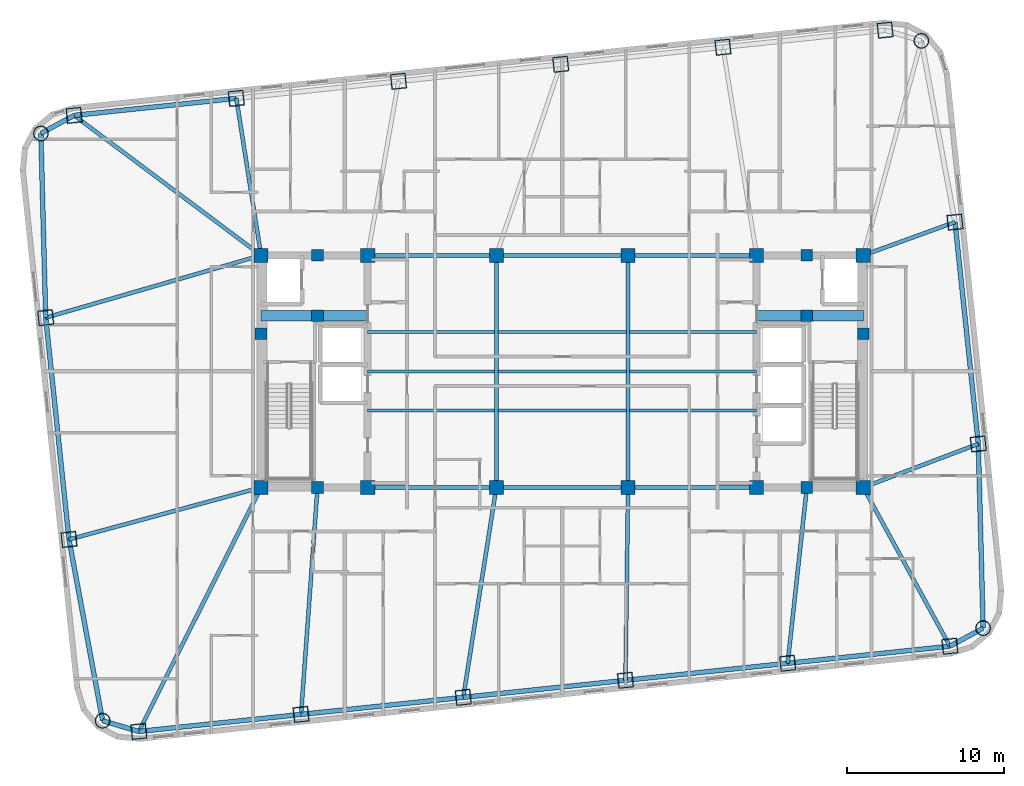
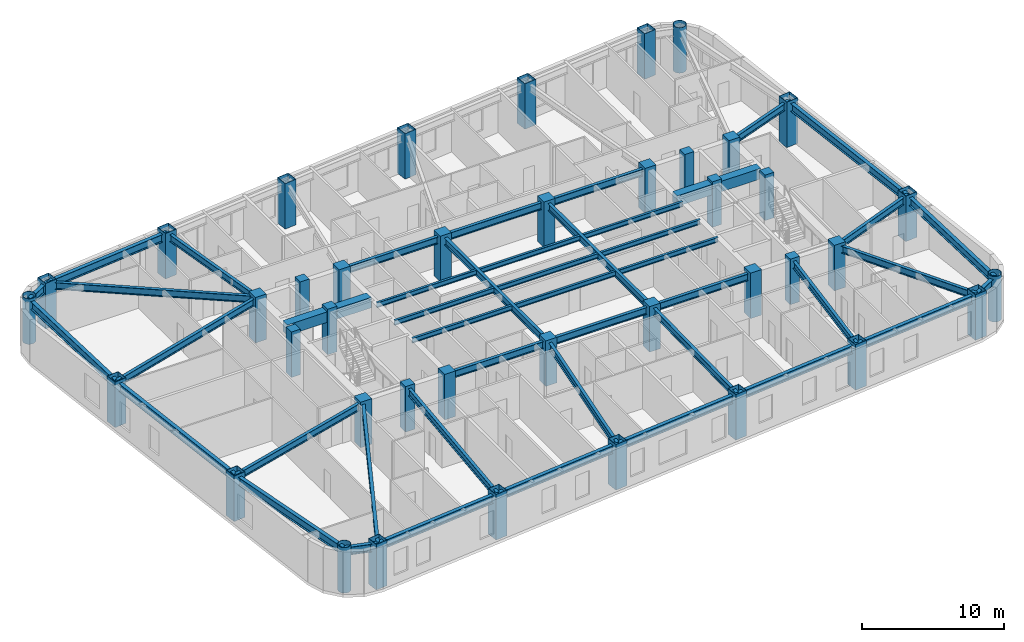
# One storey, part 1 of 12: 45 beams, 40 columns.
"""IFC4 building model written with IfcOpenShell, lengths in metres."""

from ifc_helpers import new_model, si_unit, direction, frame, origin, origin_2d, place, context, subcontext, project, spatial, rectangle, hollow_rectangle, hollow_circle, i_section, extrude, material, material_profile, profile_set, type_object, element, save


model = new_model("IFC4")

# Units and contexts
model_context = context("Model", 3, precision=1e-05, world=origin(), true_north=direction((0.0, 1.0)))
body_context = subcontext(model_context, "Body", "Model", "MODEL_VIEW")
ifc_project = project(units=[si_unit("LENGTHUNIT", "METRE"), si_unit("AREAUNIT", "SQUARE_METRE"), si_unit("VOLUMEUNIT", "CUBIC_METRE"), si_unit("PLANEANGLEUNIT", "RADIAN"), si_unit("MASSUNIT", "GRAM", prefix="KILO")], contexts=[model_context])

# Site, building, storey
site_placement = place(None, origin())
site = spatial("IfcSite", under=ifc_project, at=site_placement, CompositionType="ELEMENT")
building_placement = place(site_placement, origin())
building = spatial("IfcBuilding", under=site, at=building_placement, Name="Voryun Gate Residences", CompositionType="ELEMENT")
storey_placement = place(building_placement, frame((0.0, 0.0, 187.199951171875)))
storey = spatial("IfcBuildingStorey", under=building, at=storey_placement, Name="L46", CompositionType="ELEMENT", Elevation=187.199951171875)

# Columns
ifc_material_1 = material(Name="Concrete C50/60", Category="concrete")
ifc_material_profile_1 = material_profile(ifc_material_1, rectangle(XDim=0.75, YDim=0.75, at=origin_2d()), Name="RC-750x750")
ifc_profile_set_1 = profile_set([ifc_material_profile_1], Name="Concrete C50/60")
column_type_1 = type_object("IfcColumnType", Name="COL_CORE_750", PredefinedType="COLUMN", material=ifc_profile_set_1)
for number, where, z_axis, x_axis, name in (
    (1, (-19.199951171875, 2.39990234375, 0.0), (0.0, 0.0, 1.0), (1.0, 0.0, 0.0), "L46 Core boundary column WC-MW"),
    (2, (-15.60009765625, -7.39990234375, 0.0), (0.0, 0.0, 1.0), (1.0, 0.0, 0.0), "L46 Core boundary column WC-SM"),
    (3, (-15.60009765625, 7.39990234375, 0.0), (0.0, 0.0, 1.0), (1.0, 0.0, 0.0), "L46 Core boundary column WC-NM"),
    (4, (-15.60009765625, 3.550048828125, 0.0), (0.0, 0.0, 1.0), (1.0, 0.0, 0.0), "L46 Core boundary column WC-MM"),
    (5, (15.60009765625, 3.550048828125, 0.0), (0.0, 0.0, 1.0), (1.0, 0.0, 0.0), "L46 Core boundary column EC-MM"),
    (6, (15.60009765625, -7.39990234375, 0.0), (0.0, 0.0, 1.0), (1.0, 0.0, 0.0), "L46 Core boundary column EC-SM"),
    (7, (15.60009765625, 7.39990234375, 0.0), (0.0, 0.0, 1.0), (1.0, 0.0, 0.0), "L46 Core boundary column EC-NM"),
    (8, (19.199951171875, 2.39990234375, 0.0), (0.0, 0.0, 1.0), (1.0, 0.0, 0.0), "L46 Core boundary column EC-ME"),
):
    element("IfcColumn", number, at=place(storey_placement, frame(where, z_axis=z_axis, x_axis=x_axis)), inside=storey, type_object=column_type_1, Name=name, PredefinedType="COLUMN", context=body_context, shape_type="SweptSolid", body=[
        extrude(rectangle(XDim=0.75, YDim=0.75, at=origin_2d()), origin(), (0.0, 0.0, 1.0), 3.900146484375),
    ])
ifc_material_2 = material(Name="Concrete C50/60", Category="concrete")
ifc_material_profile_2 = material_profile(ifc_material_2, rectangle(XDim=0.89990234375, YDim=0.89990234375, at=origin_2d()), Name="RC-900x900")
ifc_profile_set_2 = profile_set([ifc_material_profile_2], Name="Concrete C50/60")
column_type_2 = type_object("IfcColumnType", Name="COL_CORE_900", PredefinedType="COLUMN", material=ifc_profile_set_2)
for number, where, z_axis, x_axis, name in (
    (9, (-19.199951171875, -7.39990234375, 0.0), (0.0, 0.0, 1.0), (1.0, 0.0, 0.0), "L46 Core boundary column WC-SW"),
    (10, (-19.199951171875, 7.39990234375, 0.0), (0.0, 0.0, 1.0), (1.0, 0.0, 0.0), "L46 Core boundary column WC-NW"),
    (11, (-12.39990234375, -7.39990234375, 0.0), (0.0, 0.0, 1.0), (1.0, 0.0, 0.0), "L46 Core boundary column WC-SE"),
    (12, (-12.39990234375, 7.39990234375, 0.0), (0.0, 0.0, 1.0), (1.0, 0.0, 0.0), "L46 Core boundary column WC-NE"),
    (13, (12.39990234375, -7.39990234375, 0.0), (0.0, 0.0, 1.0), (1.0, 0.0, 0.0), "L46 Core boundary column EC-SW"),
    (14, (12.39990234375, 7.39990234375, 0.0), (0.0, 0.0, 1.0), (1.0, 0.0, 0.0), "L46 Core boundary column EC-NW"),
    (15, (19.199951171875, -7.39990234375, 0.0), (0.0, 0.0, 1.0), (1.0, 0.0, 0.0), "L46 Core boundary column EC-SE"),
    (16, (19.199951171875, 7.39990234375, 0.0), (0.0, 0.0, 1.0), (1.0, 0.0, 0.0), "L46 Core boundary column EC-NE"),
    (17, (-4.199951171875, -7.39990234375, 0.0), (0.0, 0.0, 1.0), (1.0, 0.0, 0.0), "L46 Interior spine column SP-WS"),
    (18, (-4.199951171875, 7.39990234375, 0.0), (0.0, 0.0, 1.0), (1.0, 0.0, 0.0), "L46 Interior spine column SP-WN"),
    (19, (4.199951171875, -7.39990234375, 0.0), (0.0, 0.0, 1.0), (1.0, 0.0, 0.0), "L46 Interior spine column SP-ES"),
    (20, (4.199951171875, 7.39990234375, 0.0), (0.0, 0.0, 1.0), (1.0, 0.0, 0.0), "L46 Interior spine column SP-EN"),
):
    element("IfcColumn", number, at=place(storey_placement, frame(where, z_axis=z_axis, x_axis=x_axis)), inside=storey, type_object=column_type_2, Name=name, PredefinedType="COLUMN", context=body_context, shape_type="SweptSolid", body=[
        extrude(rectangle(XDim=0.89990234375, YDim=0.89990234375, at=origin_2d()), origin(), (0.0, 0.0, 1.0), 3.900146484375),
    ])
ifc_material_3 = material(Name="Steel SM420", Category="steel")
ifc_material_profile_3 = material_profile(ifc_material_3, hollow_circle(Radius=0.47509765625, WallThickness=0.031982421875, at=origin_2d()), Name="CHS-950x32")
ifc_profile_set_3 = profile_set([ifc_material_profile_3], Name="Steel SM420")
column_type_3 = type_object("IfcColumnType", Name="COL_CRN_950", PredefinedType="COLUMN", material=ifc_profile_set_3)
for number, where, z_axis, x_axis, name in (
    (21, (26.8408203125, -16.373779296875, 0.0), (0.0, 0.0, 1.0), (0.994521895368, 0.104528463268, 0.0), "L46 Exoskeleton column CSE"),
    (22, (22.90478515625, 21.07470703125, 0.0), (0.0, 0.0, 1.0), (0.994521895368, 0.104528463268, 0.0), "L46 Exoskeleton column CNE"),
    (23, (-33.24072265625, 15.173583984375, 0.0), (0.0, 0.0, 1.0), (0.994521895368, 0.104528463268, 0.0), "L46 Exoskeleton column CNW"),
    (24, (-29.3046875, -22.27490234375, 0.0), (0.0, 0.0, 1.0), (0.994521895368, 0.104528463268, 0.0), "L46 Exoskeleton column CSW"),
):
    element("IfcColumn", number, at=place(storey_placement, frame(where, z_axis=z_axis, x_axis=x_axis)), inside=storey, type_object=column_type_3, Name=name, PredefinedType="COLUMN", context=body_context, shape_type="SweptSolid", body=[
        extrude(hollow_circle(Radius=0.47509765625, WallThickness=0.031982421875, at=origin_2d()), origin(), (0.0, 0.0, 1.0), 3.900146484375),
    ])
ifc_material_4 = material(Name="Steel SM420", Category="steel")
ifc_material_profile_4 = material_profile(ifc_material_4, hollow_rectangle(XDim=0.949951171875, YDim=0.949951171875, WallThickness=0.031982421875, at=origin_2d()), Name="BOX-950x950x32")
ifc_profile_set_4 = profile_set([ifc_material_profile_4], Name="Steel SM420")
column_type_4 = type_object("IfcColumnType", Name="COL_EXO_B3", PredefinedType="COLUMN", material=ifc_profile_set_4)
for number, where, z_axis, x_axis, name in (
    (25, (-26.9931640625, -22.95947265625, 0.0), (0.0, 0.0, 1.0), (0.994521895368, 0.104528463268, 0.0), "L46 Exoskeleton column S1"),
    (26, (-16.650146484375, -21.87255859375, 0.0), (0.0, 0.0, 1.0), (0.994521895368, 0.104528463268, 0.0), "L46 Exoskeleton column S2"),
    (27, (-6.30712890625, -20.785400390625, 0.0), (0.0, 0.0, 1.0), (0.994521895368, 0.104528463268, 0.0), "L46 Exoskeleton column S3"),
    (28, (4.035888671875, -19.6982421875, 0.0), (0.0, 0.0, 1.0), (0.994521895368, 0.104528463268, 0.0), "L46 Exoskeleton column S4"),
    (29, (14.37890625, -18.611083984375, 0.0), (0.0, 0.0, 1.0), (0.994521895368, 0.104528463268, 0.0), "L46 Exoskeleton column S5"),
    (30, (24.721923828125, -17.524169921875, 0.0), (0.0, 0.0, 1.0), (0.994521895368, 0.104528463268, 0.0), "L46 Exoskeleton column S6"),
    (31, (26.533447265625, -4.6240234375, 0.0), (0.0, 0.0, 1.0), (0.994521895368, 0.104528463268, 0.0), "L46 Exoskeleton column E1"),
    (32, (25.047119140625, 9.51806640625, 0.0), (0.0, 0.0, 1.0), (0.994521895368, 0.104528463268, 0.0), "L46 Exoskeleton column E2"),
    (33, (20.593017578125, 21.759521484375, 0.0), (0.0, 0.0, 1.0), (0.994521895368, 0.104528463268, 0.0), "L46 Exoskeleton column N1"),
    (34, (10.25, 20.67236328125, 0.0), (0.0, 0.0, 1.0), (0.994521895368, 0.104528463268, 0.0), "L46 Exoskeleton column N2"),
    (35, (-0.093017578125, 19.58544921875, 0.0), (0.0, 0.0, 1.0), (0.994521895368, 0.104528463268, 0.0), "L46 Exoskeleton column N3"),
    (36, (-10.43603515625, 18.498291015625, 0.0), (0.0, 0.0, 1.0), (0.994521895368, 0.104528463268, 0.0), "L46 Exoskeleton column N4"),
    (37, (-20.779052734375, 17.4111328125, 0.0), (0.0, 0.0, 1.0), (0.994521895368, 0.104528463268, 0.0), "L46 Exoskeleton column N5"),
    (38, (-31.1220703125, 16.323974609375, 0.0), (0.0, 0.0, 1.0), (0.994521895368, 0.104528463268, 0.0), "L46 Exoskeleton column N6"),
    (39, (-32.93359375, 3.424072265625, 0.0), (0.0, 0.0, 1.0), (0.994521895368, 0.104528463268, 0.0), "L46 Exoskeleton column W1"),
    (40, (-31.447021484375, -10.718017578125, 0.0), (0.0, 0.0, 1.0), (0.994521895368, 0.104528463268, 0.0), "L46 Exoskeleton column W2"),
):
    element("IfcColumn", number, at=place(storey_placement, frame(where, z_axis=z_axis, x_axis=x_axis)), inside=storey, type_object=column_type_4, Name=name, PredefinedType="COLUMN", context=body_context, shape_type="SweptSolid", body=[
        extrude(hollow_rectangle(XDim=0.949951171875, YDim=0.949951171875, WallThickness=0.031982421875, at=origin_2d()), origin(), (0.0, 0.0, 1.0), 3.900146484375),
    ])

# Beams
ifc_material_5 = material(Name="Concrete C60/75", Category="concrete")
ifc_material_profile_5 = material_profile(ifc_material_5, rectangle(XDim=0.64990234375, YDim=0.89990234375, at=origin_2d()), Name="RC-650x900")
ifc_profile_set_5 = profile_set([ifc_material_profile_5], Name="Concrete C60/75")
beam_type_1 = type_object("IfcBeamType", Name="BM_COUP_RC900", PredefinedType="LINTEL", material=ifc_profile_set_5)
for number, where, z_axis, x_axis, name in (
    (41, (-19.199951171875, 3.550048828125, 3.199951171875), (1.0, 0.0, 0.0), (0.0, 1.0, 0.0), "BM-L46-WC1"),
    (42, (12.39990234375, 3.550048828125, 3.199951171875), (1.0, 0.0, 0.0), (0.0, 1.0, 0.0), "BM-L46-EC1"),
):
    element("IfcBeam", number, at=place(storey_placement, frame(where, z_axis=z_axis, x_axis=x_axis)), inside=storey, type_object=beam_type_1, Name=name, PredefinedType="LINTEL", context=body_context, shape_type="SweptSolid", body=[
        extrude(rectangle(XDim=0.64990234375, YDim=0.89990234375, at=origin_2d()), origin(), (0.0, 0.0, 1.0), 6.800048828125),
    ])
ifc_material_6 = material(Name="Steel SM355", Category="steel")
ifc_material_profile_6 = material_profile(ifc_material_6, i_section(OverallWidth=0.300048828125, OverallDepth=0.679931640625, WebThickness=0.013916015625, FlangeThickness=0.02490234375, FilletRadius=0.01806640625, at=origin_2d()), Name="H-680x300x14x25")
ifc_profile_set_6 = profile_set([ifc_material_profile_6], Name="Steel SM355")
beam_type_2 = type_object("IfcBeamType", Name="BM_EXO_SPANDREL_M", PredefinedType="SPANDREL", material=ifc_profile_set_6)
for number, where, z_axis, x_axis, name in (
    (43, (-26.9931640625, -22.95947265625, 3.31005859375), (0.99452370336, 0.10451125994, 0.0), (-0.10451125994, 0.99452370336, 0.0), "BM-L46-SPAND-01"),
    (44, (-16.650146484375, -21.87255859375, 3.31005859375), (0.994521263116, 0.104534478571, 0.0), (-0.104534478571, 0.994521263116, 0.0), "BM-L46-SPAND-02"),
    (45, (-6.30712890625, -20.785400390625, 3.31005859375), (0.994521263116, 0.104534478571, 0.0), (-0.104534478571, 0.994521263116, 0.0), "BM-L46-SPAND-03"),
    (46, (4.035888671875, -19.6982421875, 3.31005859375), (0.994521263116, 0.104534478571, 0.0), (-0.104534478571, 0.994521263116, 0.0), "BM-L46-SPAND-04"),
    (47, (14.37890625, -18.611083984375, 3.31005859375), (0.99452370336, 0.10451125994, 0.0), (-0.10451125994, 0.99452370336, 0.0), "BM-L46-SPAND-05"),
):
    element("IfcBeam", number, at=place(storey_placement, frame(where, z_axis=z_axis, x_axis=x_axis)), inside=storey, type_object=beam_type_2, Name=name, PredefinedType="SPANDREL", context=body_context, shape_type="SweptSolid", body=[
        extrude(i_section(OverallWidth=0.300048828125, OverallDepth=0.679931640625, WebThickness=0.013916015625, FlangeThickness=0.02490234375, FilletRadius=0.01806640625, at=origin_2d()), origin(), (0.0, 0.0, 1.0), 10.39990234375),
    ])
beam_1_placement = place(storey_placement, frame((24.721923828125, -17.524169921875, 3.31005859375), z_axis=(0.878830382314, 0.477134319791, 0.0), x_axis=(-0.477134319791, 0.878830382314, 0.0)))
element("IfcBeam", 48, at=beam_1_placement, inside=storey, type_object=beam_type_2, Name="BM-L46-SPAND-06", PredefinedType="SPANDREL", context=body_context, shape_type="SweptSolid", body=[
    extrude(i_section(OverallWidth=0.300048828125, OverallDepth=0.679931640625, WebThickness=0.013916015625, FlangeThickness=0.02490234375, FilletRadius=0.01806640625, at=origin_2d()), origin(), (0.0, 0.0, 1.0), 2.4111328125),
])
beam_2_placement = place(storey_placement, frame((26.8408203125, -16.373779296875, 3.31005859375), z_axis=(-0.026151005195, 0.999658003983, 0.0), x_axis=(-0.999658003983, -0.026151005195, 0.0)))
element("IfcBeam", 49, at=beam_2_placement, inside=storey, type_object=beam_type_2, Name="BM-L46-SPAND-07", PredefinedType="SPANDREL", context=body_context, shape_type="SweptSolid", body=[
    extrude(i_section(OverallWidth=0.300048828125, OverallDepth=0.679931640625, WebThickness=0.013916015625, FlangeThickness=0.02490234375, FilletRadius=0.01806640625, at=origin_2d()), origin(), (0.0, 0.0, 1.0), 11.753662109375),
])
beam_3_placement = place(storey_placement, frame((26.533447265625, -4.6240234375, 3.31005859375), z_axis=(-0.104523913446, 0.994522373563, 0.0), x_axis=(-0.994522373563, -0.104523913446, 0.0)))
element("IfcBeam", 50, at=beam_3_placement, inside=storey, type_object=beam_type_2, Name="BM-L46-SPAND-08", PredefinedType="SPANDREL", context=body_context, shape_type="SweptSolid", body=[
    extrude(i_section(OverallWidth=0.300048828125, OverallDepth=0.679931640625, WebThickness=0.013916015625, FlangeThickness=0.02490234375, FilletRadius=0.01806640625, at=origin_2d()), origin(), (0.0, 0.0, 1.0), 14.219970703125),
])
beam_4_placement = place(storey_placement, frame((-20.779052734375, 17.4111328125, 3.31005859375), z_axis=(-0.994521263116, -0.104534478571, 0.0), x_axis=(0.104534478571, -0.994521263116, 0.0)))
element("IfcBeam", 51, at=beam_4_placement, inside=storey, type_object=beam_type_2, Name="BM-L46-SPAND-15", PredefinedType="SPANDREL", context=body_context, shape_type="SweptSolid", body=[
    extrude(i_section(OverallWidth=0.300048828125, OverallDepth=0.679931640625, WebThickness=0.013916015625, FlangeThickness=0.02490234375, FilletRadius=0.01806640625, at=origin_2d()), origin(), (0.0, 0.0, 1.0), 10.39990234375),
])
beam_5_placement = place(storey_placement, frame((-31.1220703125, 16.323974609375, 3.31005859375), z_axis=(-0.878807326808, -0.47717678312, 0.0), x_axis=(0.47717678312, -0.878807326808, 0.0)))
element("IfcBeam", 52, at=beam_5_placement, inside=storey, type_object=beam_type_2, Name="BM-L46-SPAND-16", PredefinedType="SPANDREL", context=body_context, shape_type="SweptSolid", body=[
    extrude(i_section(OverallWidth=0.300048828125, OverallDepth=0.679931640625, WebThickness=0.013916015625, FlangeThickness=0.02490234375, FilletRadius=0.01806640625, at=origin_2d()), origin(), (0.0, 0.0, 1.0), 2.410888671875),
])
beam_6_placement = place(storey_placement, frame((-33.24072265625, 15.173583984375, 3.31005859375), z_axis=(0.026130790716, -0.999658532588, 0.0), x_axis=(0.999658532588, 0.026130790716, 0.0)))
element("IfcBeam", 53, at=beam_6_placement, inside=storey, type_object=beam_type_2, Name="BM-L46-SPAND-17", PredefinedType="SPANDREL", context=body_context, shape_type="SweptSolid", body=[
    extrude(i_section(OverallWidth=0.300048828125, OverallDepth=0.679931640625, WebThickness=0.013916015625, FlangeThickness=0.02490234375, FilletRadius=0.01806640625, at=origin_2d()), origin(), (0.0, 0.0, 1.0), 11.75341796875),
])
beam_7_placement = place(storey_placement, frame((-32.93359375, 3.424072265625, 3.31005859375), z_axis=(0.104540894669, -0.994520588697, 0.0), x_axis=(0.994520588697, 0.104540894669, 0.0)))
element("IfcBeam", 54, at=beam_7_placement, inside=storey, type_object=beam_type_2, Name="BM-L46-SPAND-18", PredefinedType="SPANDREL", context=body_context, shape_type="SweptSolid", body=[
    extrude(i_section(OverallWidth=0.300048828125, OverallDepth=0.679931640625, WebThickness=0.013916015625, FlangeThickness=0.02490234375, FilletRadius=0.01806640625, at=origin_2d()), origin(), (0.0, 0.0, 1.0), 14.219970703125),
])
beam_8_placement = place(storey_placement, frame((-31.447021484375, -10.718017578125, 3.31005859375), z_axis=(0.182267768769, -0.983248931079, 0.0), x_axis=(0.983248931079, 0.182267768769, 0.0)))
element("IfcBeam", 55, at=beam_8_placement, inside=storey, type_object=beam_type_2, Name="BM-L46-SPAND-19", PredefinedType="SPANDREL", context=body_context, shape_type="SweptSolid", body=[
    extrude(i_section(OverallWidth=0.300048828125, OverallDepth=0.679931640625, WebThickness=0.013916015625, FlangeThickness=0.02490234375, FilletRadius=0.01806640625, at=origin_2d()), origin(), (0.0, 0.0, 1.0), 11.753662109375),
])
beam_9_placement = place(storey_placement, frame((-29.3046875, -22.27490234375, 3.31005859375), z_axis=(0.958834884093, -0.283964196768, 0.0), x_axis=(0.283964196768, 0.958834884093, 0.0)))
element("IfcBeam", 56, at=beam_9_placement, inside=storey, type_object=beam_type_2, Name="BM-L46-SPAND-20", PredefinedType="SPANDREL", context=body_context, shape_type="SweptSolid", body=[
    extrude(i_section(OverallWidth=0.300048828125, OverallDepth=0.679931640625, WebThickness=0.013916015625, FlangeThickness=0.02490234375, FilletRadius=0.01806640625, at=origin_2d()), origin(), (0.0, 0.0, 1.0), 2.41064453125),
])
ifc_material_7 = material(Name="Steel SM355", Category="steel")
ifc_material_profile_7 = material_profile(ifc_material_7, i_section(OverallWidth=0.25, OverallDepth=0.60009765625, WebThickness=0.011962890625, FlangeThickness=0.02197265625, FilletRadius=0.01806640625, at=origin_2d()), Name="H-600x250x12x22")
ifc_profile_set_7 = profile_set([ifc_material_profile_7], Name="Steel SM355")
beam_type_3 = type_object("IfcBeamType", Name="BM_GIRD_600", PredefinedType="USERDEFINED", material=ifc_profile_set_7)
beam_10_placement = place(storey_placement, frame((-12.39990234375, -7.39990234375, 3.35009765625), z_axis=(1.0, 0.0, 0.0), x_axis=(0.0, 1.0, 0.0)))
element("IfcBeam", 57, at=beam_10_placement, inside=storey, type_object=beam_type_3, Name="BM-L46-SPG1-S", ObjectType="GIRDER", PredefinedType="USERDEFINED", context=body_context, shape_type="SweptSolid", body=[
    extrude(i_section(OverallWidth=0.25, OverallDepth=0.60009765625, WebThickness=0.011962890625, FlangeThickness=0.02197265625, FilletRadius=0.01806640625, at=origin_2d()), origin(), (0.0, 0.0, 1.0), 8.199951171875),
])
beam_11_placement = place(storey_placement, frame((-4.199951171875, -7.39990234375, 3.35009765625), z_axis=(1.0, 0.0, 0.0), x_axis=(0.0, 1.0, 0.0)))
element("IfcBeam", 58, at=beam_11_placement, inside=storey, type_object=beam_type_3, Name="BM-L46-SPG2-S", ObjectType="GIRDER", PredefinedType="USERDEFINED", context=body_context, shape_type="SweptSolid", body=[
    extrude(i_section(OverallWidth=0.25, OverallDepth=0.60009765625, WebThickness=0.011962890625, FlangeThickness=0.02197265625, FilletRadius=0.01806640625, at=origin_2d()), origin(), (0.0, 0.0, 1.0), 8.39990234375),
])
for number, where, z_axis, x_axis, name in (
    (59, (4.199951171875, -7.39990234375, 3.35009765625), (1.0, 0.0, 0.0), (0.0, 1.0, 0.0), "BM-L46-SPG3-S"),
    (60, (-12.39990234375, 7.39990234375, 3.35009765625), (1.0, 0.0, 0.0), (0.0, 1.0, 0.0), "BM-L46-SPG1-N"),
):
    element("IfcBeam", number, at=place(storey_placement, frame(where, z_axis=z_axis, x_axis=x_axis)), inside=storey, type_object=beam_type_3, Name=name, ObjectType="GIRDER", PredefinedType="USERDEFINED", context=body_context, shape_type="SweptSolid", body=[
        extrude(i_section(OverallWidth=0.25, OverallDepth=0.60009765625, WebThickness=0.011962890625, FlangeThickness=0.02197265625, FilletRadius=0.01806640625, at=origin_2d()), origin(), (0.0, 0.0, 1.0), 8.199951171875),
    ])
beam_12_placement = place(storey_placement, frame((-4.199951171875, 7.39990234375, 3.35009765625), z_axis=(1.0, 0.0, 0.0), x_axis=(0.0, 1.0, 0.0)))
element("IfcBeam", 61, at=beam_12_placement, inside=storey, type_object=beam_type_3, Name="BM-L46-SPG2-N", ObjectType="GIRDER", PredefinedType="USERDEFINED", context=body_context, shape_type="SweptSolid", body=[
    extrude(i_section(OverallWidth=0.25, OverallDepth=0.60009765625, WebThickness=0.011962890625, FlangeThickness=0.02197265625, FilletRadius=0.01806640625, at=origin_2d()), origin(), (0.0, 0.0, 1.0), 8.39990234375),
])
beam_13_placement = place(storey_placement, frame((4.199951171875, 7.39990234375, 3.35009765625), z_axis=(1.0, 0.0, 0.0), x_axis=(0.0, 1.0, 0.0)))
element("IfcBeam", 62, at=beam_13_placement, inside=storey, type_object=beam_type_3, Name="BM-L46-SPG3-N", ObjectType="GIRDER", PredefinedType="USERDEFINED", context=body_context, shape_type="SweptSolid", body=[
    extrude(i_section(OverallWidth=0.25, OverallDepth=0.60009765625, WebThickness=0.011962890625, FlangeThickness=0.02197265625, FilletRadius=0.01806640625, at=origin_2d()), origin(), (0.0, 0.0, 1.0), 8.199951171875),
])
for number, where, z_axis, x_axis, name in (
    (63, (-4.199951171875, -7.39990234375, 3.35009765625), (0.0, 1.0, 0.0), (-1.0, 0.0, 0.0), "BM-L46-SPX-W"),
    (64, (4.199951171875, -7.39990234375, 3.35009765625), (0.0, 1.0, 0.0), (-1.0, 0.0, 0.0), "BM-L46-SPX-E"),
):
    element("IfcBeam", number, at=place(storey_placement, frame(where, z_axis=z_axis, x_axis=x_axis)), inside=storey, type_object=beam_type_3, Name=name, ObjectType="GIRDER", PredefinedType="USERDEFINED", context=body_context, shape_type="SweptSolid", body=[
        extrude(i_section(OverallWidth=0.25, OverallDepth=0.60009765625, WebThickness=0.011962890625, FlangeThickness=0.02197265625, FilletRadius=0.01806640625, at=origin_2d()), origin(), (0.0, 0.0, 1.0), 14.7998046875),
    ])
beam_14_placement = place(storey_placement, frame((-19.199951171875, -7.39990234375, 3.35009765625), z_axis=(-0.447830780254, -0.894118332357, 0.0), x_axis=(0.894118332357, -0.447830780254, 0.0)))
element("IfcBeam", 65, at=beam_14_placement, inside=storey, type_object=beam_type_3, Name="BM-L46-RAD-S1", ObjectType="GIRDER", PredefinedType="USERDEFINED", context=body_context, shape_type="SweptSolid", body=[
    extrude(i_section(OverallWidth=0.25, OverallDepth=0.60009765625, WebThickness=0.011962890625, FlangeThickness=0.02197265625, FilletRadius=0.01806640625, at=origin_2d()), origin(), (0.0, 0.0, 1.0), 17.402099609375),
])
beam_15_placement = place(storey_placement, frame((-15.60009765625, -7.39990234375, 3.35009765625), z_axis=(-0.072363766769, -0.99737830599, 0.0), x_axis=(0.99737830599, -0.072363766769, 0.0)))
element("IfcBeam", 66, at=beam_15_placement, inside=storey, type_object=beam_type_3, Name="BM-L46-RAD-S2", ObjectType="GIRDER", PredefinedType="USERDEFINED", context=body_context, shape_type="SweptSolid", body=[
    extrude(i_section(OverallWidth=0.25, OverallDepth=0.60009765625, WebThickness=0.011962890625, FlangeThickness=0.02197265625, FilletRadius=0.01806640625, at=origin_2d()), origin(), (0.0, 0.0, 1.0), 14.5107421875),
])
beam_16_placement = place(storey_placement, frame((-4.199951171875, -7.39990234375, 3.35009765625), z_axis=(-0.155507352157, -0.987834734875, 0.0), x_axis=(0.987834734875, -0.155507352157, 0.0)))
element("IfcBeam", 67, at=beam_16_placement, inside=storey, type_object=beam_type_3, Name="BM-L46-RAD-S3", ObjectType="GIRDER", PredefinedType="USERDEFINED", context=body_context, shape_type="SweptSolid", body=[
    extrude(i_section(OverallWidth=0.25, OverallDepth=0.60009765625, WebThickness=0.011962890625, FlangeThickness=0.02197265625, FilletRadius=0.01806640625, at=origin_2d()), origin(), (0.0, 0.0, 1.0), 13.55029296875),
])
beam_17_placement = place(storey_placement, frame((4.199951171875, -7.39990234375, 3.35009765625), z_axis=(-0.013339028327, -0.999911031204, 0.0), x_axis=(0.999911031204, -0.013339028327, 0.0)))
element("IfcBeam", 68, at=beam_17_placement, inside=storey, type_object=beam_type_3, Name="BM-L46-RAD-S4", ObjectType="GIRDER", PredefinedType="USERDEFINED", context=body_context, shape_type="SweptSolid", body=[
    extrude(i_section(OverallWidth=0.25, OverallDepth=0.60009765625, WebThickness=0.011962890625, FlangeThickness=0.02197265625, FilletRadius=0.01806640625, at=origin_2d()), origin(), (0.0, 0.0, 1.0), 12.29931640625),
])
beam_18_placement = place(storey_placement, frame((15.60009765625, -7.39990234375, 3.35009765625), z_axis=(-0.108285693252, -0.994119816037, 0.0), x_axis=(0.994119816037, -0.108285693252, 0.0)))
element("IfcBeam", 69, at=beam_18_placement, inside=storey, type_object=beam_type_3, Name="BM-L46-RAD-S5", ObjectType="GIRDER", PredefinedType="USERDEFINED", context=body_context, shape_type="SweptSolid", body=[
    extrude(i_section(OverallWidth=0.25, OverallDepth=0.60009765625, WebThickness=0.011962890625, FlangeThickness=0.02197265625, FilletRadius=0.01806640625, at=origin_2d()), origin(), (0.0, 0.0, 1.0), 11.277587890625),
])
beam_19_placement = place(storey_placement, frame((19.199951171875, -7.39990234375, 3.35009765625), z_axis=(0.478828398266, -0.877908517451, 0.0), x_axis=(0.877908517451, 0.478828398266, 0.0)))
element("IfcBeam", 70, at=beam_19_placement, inside=storey, type_object=beam_type_3, Name="BM-L46-RAD-S6", ObjectType="GIRDER", PredefinedType="USERDEFINED", context=body_context, shape_type="SweptSolid", body=[
    extrude(i_section(OverallWidth=0.25, OverallDepth=0.60009765625, WebThickness=0.011962890625, FlangeThickness=0.02197265625, FilletRadius=0.01806640625, at=origin_2d()), origin(), (0.0, 0.0, 1.0), 11.5322265625),
])
beam_20_placement = place(storey_placement, frame((19.199951171875, -7.39990234375, 3.35009765625), z_axis=(0.93524224301, 0.354008399462, 0.0), x_axis=(-0.354008399462, 0.93524224301, 0.0)))
element("IfcBeam", 71, at=beam_20_placement, inside=storey, type_object=beam_type_3, Name="BM-L46-RAD-E1", ObjectType="GIRDER", PredefinedType="USERDEFINED", context=body_context, shape_type="SweptSolid", body=[
    extrude(i_section(OverallWidth=0.25, OverallDepth=0.60009765625, WebThickness=0.011962890625, FlangeThickness=0.02197265625, FilletRadius=0.01806640625, at=origin_2d()), origin(), (0.0, 0.0, 1.0), 7.84130859375),
])
beam_21_placement = place(storey_placement, frame((19.199951171875, 7.39990234375, 3.35009765625), z_axis=(0.94020993833, 0.340595466595, 0.0), x_axis=(-0.340595466595, 0.94020993833, 0.0)))
element("IfcBeam", 72, at=beam_21_placement, inside=storey, type_object=beam_type_3, Name="BM-L46-RAD-E2", ObjectType="GIRDER", PredefinedType="USERDEFINED", context=body_context, shape_type="SweptSolid", body=[
    extrude(i_section(OverallWidth=0.25, OverallDepth=0.60009765625, WebThickness=0.011962890625, FlangeThickness=0.02197265625, FilletRadius=0.01806640625, at=origin_2d()), origin(), (0.0, 0.0, 1.0), 6.218994140625),
])
beam_22_placement = place(storey_placement, frame((-19.199951171875, 7.39990234375, 3.35009765625), z_axis=(-0.155806710133, 0.987787562727, 0.0), x_axis=(-0.987787562727, -0.155806710133, 0.0)))
element("IfcBeam", 73, at=beam_22_placement, inside=storey, type_object=beam_type_3, Name="BM-L46-RAD-N5", ObjectType="GIRDER", PredefinedType="USERDEFINED", context=body_context, shape_type="SweptSolid", body=[
    extrude(i_section(OverallWidth=0.25, OverallDepth=0.60009765625, WebThickness=0.011962890625, FlangeThickness=0.02197265625, FilletRadius=0.01806640625, at=origin_2d()), origin(), (0.0, 0.0, 1.0), 10.135009765625),
])
beam_23_placement = place(storey_placement, frame((-19.199951171875, 7.39990234375, 3.35009765625), z_axis=(-0.800564252374, 0.599246925583, 0.0), x_axis=(-0.599246925583, -0.800564252374, 0.0)))
element("IfcBeam", 74, at=beam_23_placement, inside=storey, type_object=beam_type_3, Name="BM-L46-RAD-N6", ObjectType="GIRDER", PredefinedType="USERDEFINED", context=body_context, shape_type="SweptSolid", body=[
    extrude(i_section(OverallWidth=0.25, OverallDepth=0.60009765625, WebThickness=0.011962890625, FlangeThickness=0.02197265625, FilletRadius=0.01806640625, at=origin_2d()), origin(), (0.0, 0.0, 1.0), 14.89208984375),
])
beam_24_placement = place(storey_placement, frame((-19.199951171875, 7.39990234375, 3.35009765625), z_axis=(-0.960558623239, -0.278077563498, 0.0), x_axis=(0.278077563498, -0.960558623239, 0.0)))
element("IfcBeam", 75, at=beam_24_placement, inside=storey, type_object=beam_type_3, Name="BM-L46-RAD-W1", ObjectType="GIRDER", PredefinedType="USERDEFINED", context=body_context, shape_type="SweptSolid", body=[
    extrude(i_section(OverallWidth=0.25, OverallDepth=0.60009765625, WebThickness=0.011962890625, FlangeThickness=0.02197265625, FilletRadius=0.01806640625, at=origin_2d()), origin(), (0.0, 0.0, 1.0), 14.297607421875),
])
beam_25_placement = place(storey_placement, frame((-19.199951171875, -7.39990234375, 3.35009765625), z_axis=(-0.965202497616, -0.261503611058, 0.0), x_axis=(0.261503611058, -0.965202497616, 0.0)))
element("IfcBeam", 76, at=beam_25_placement, inside=storey, type_object=beam_type_3, Name="BM-L46-RAD-W2", ObjectType="GIRDER", PredefinedType="USERDEFINED", context=body_context, shape_type="SweptSolid", body=[
    extrude(i_section(OverallWidth=0.25, OverallDepth=0.60009765625, WebThickness=0.011962890625, FlangeThickness=0.02197265625, FilletRadius=0.01806640625, at=origin_2d()), origin(), (0.0, 0.0, 1.0), 12.688720703125),
])
ifc_material_8 = material(Name="Steel SM355", Category="steel")
ifc_material_profile_8 = material_profile(ifc_material_8, i_section(OverallWidth=0.18994140625, OverallDepth=0.419921875, WebThickness=0.009033203125, FlangeThickness=0.01611328125, FilletRadius=0.01806640625, at=origin_2d()), Name="H-420x190x9x16")
ifc_profile_set_8 = profile_set([ifc_material_profile_8], Name="Steel SM355")
beam_type_4 = type_object("IfcBeamType", Name="BM_SEC_420", PredefinedType="BEAM", material=ifc_profile_set_8)
beam_26_placement = place(storey_placement, frame((-12.39990234375, -2.5, 3.43994140625), z_axis=(1.0, 0.0, 0.0), x_axis=(0.0, 1.0, 0.0)))
element("IfcBeam", 77, at=beam_26_placement, inside=storey, type_object=beam_type_4, Name="BM-L46-SEC-CS1", PredefinedType="BEAM", context=body_context, shape_type="SweptSolid", body=[
    extrude(i_section(OverallWidth=0.18994140625, OverallDepth=0.419921875, WebThickness=0.009033203125, FlangeThickness=0.01611328125, FilletRadius=0.01806640625, at=origin_2d()), origin(), (0.0, 0.0, 1.0), 8.099853515625),
])
beam_27_placement = place(storey_placement, frame((-4.10009765625, -2.5, 3.43994140625), z_axis=(1.0, 0.0, 0.0), x_axis=(0.0, 1.0, 0.0)))
element("IfcBeam", 78, at=beam_27_placement, inside=storey, type_object=beam_type_4, Name="BM-L46-SEC-CS2", PredefinedType="BEAM", context=body_context, shape_type="SweptSolid", body=[
    extrude(i_section(OverallWidth=0.18994140625, OverallDepth=0.419921875, WebThickness=0.009033203125, FlangeThickness=0.01611328125, FilletRadius=0.01806640625, at=origin_2d()), origin(), (0.0, 0.0, 1.0), 8.2001953125),
])
for number, where, z_axis, x_axis, name in (
    (79, (4.300048828125, -2.5, 3.43994140625), (1.0, 0.0, 0.0), (0.0, 1.0, 0.0), "BM-L46-SEC-CS3"),
    (80, (-12.39990234375, 0.0, 3.43994140625), (1.0, 0.0, 0.0), (0.0, 1.0, 0.0), "BM-L46-SEC-CM1"),
):
    element("IfcBeam", number, at=place(storey_placement, frame(where, z_axis=z_axis, x_axis=x_axis)), inside=storey, type_object=beam_type_4, Name=name, PredefinedType="BEAM", context=body_context, shape_type="SweptSolid", body=[
        extrude(i_section(OverallWidth=0.18994140625, OverallDepth=0.419921875, WebThickness=0.009033203125, FlangeThickness=0.01611328125, FilletRadius=0.01806640625, at=origin_2d()), origin(), (0.0, 0.0, 1.0), 8.099853515625),
    ])
beam_28_placement = place(storey_placement, frame((-4.10009765625, 0.0, 3.43994140625), z_axis=(1.0, 0.0, 0.0), x_axis=(0.0, 1.0, 0.0)))
element("IfcBeam", 81, at=beam_28_placement, inside=storey, type_object=beam_type_4, Name="BM-L46-SEC-CM2", PredefinedType="BEAM", context=body_context, shape_type="SweptSolid", body=[
    extrude(i_section(OverallWidth=0.18994140625, OverallDepth=0.419921875, WebThickness=0.009033203125, FlangeThickness=0.01611328125, FilletRadius=0.01806640625, at=origin_2d()), origin(), (0.0, 0.0, 1.0), 8.2001953125),
])
for number, where, z_axis, x_axis, name in (
    (82, (4.300048828125, 0.0, 3.43994140625), (1.0, 0.0, 0.0), (0.0, 1.0, 0.0), "BM-L46-SEC-CM3"),
    (83, (-12.39990234375, 2.5, 3.43994140625), (1.0, 0.0, 0.0), (0.0, 1.0, 0.0), "BM-L46-SEC-CN1"),
):
    element("IfcBeam", number, at=place(storey_placement, frame(where, z_axis=z_axis, x_axis=x_axis)), inside=storey, type_object=beam_type_4, Name=name, PredefinedType="BEAM", context=body_context, shape_type="SweptSolid", body=[
        extrude(i_section(OverallWidth=0.18994140625, OverallDepth=0.419921875, WebThickness=0.009033203125, FlangeThickness=0.01611328125, FilletRadius=0.01806640625, at=origin_2d()), origin(), (0.0, 0.0, 1.0), 8.099853515625),
    ])
beam_29_placement = place(storey_placement, frame((-4.10009765625, 2.5, 3.43994140625), z_axis=(1.0, 0.0, 0.0), x_axis=(0.0, 1.0, 0.0)))
element("IfcBeam", 84, at=beam_29_placement, inside=storey, type_object=beam_type_4, Name="BM-L46-SEC-CN2", PredefinedType="BEAM", context=body_context, shape_type="SweptSolid", body=[
    extrude(i_section(OverallWidth=0.18994140625, OverallDepth=0.419921875, WebThickness=0.009033203125, FlangeThickness=0.01611328125, FilletRadius=0.01806640625, at=origin_2d()), origin(), (0.0, 0.0, 1.0), 8.2001953125),
])
beam_30_placement = place(storey_placement, frame((4.300048828125, 2.5, 3.43994140625), z_axis=(1.0, 0.0, 0.0), x_axis=(0.0, 1.0, 0.0)))
element("IfcBeam", 85, at=beam_30_placement, inside=storey, type_object=beam_type_4, Name="BM-L46-SEC-CN3", PredefinedType="BEAM", context=body_context, shape_type="SweptSolid", body=[
    extrude(i_section(OverallWidth=0.18994140625, OverallDepth=0.419921875, WebThickness=0.009033203125, FlangeThickness=0.01611328125, FilletRadius=0.01806640625, at=origin_2d()), origin(), (0.0, 0.0, 1.0), 8.099853515625),
])

save(model, "model.ifc")
